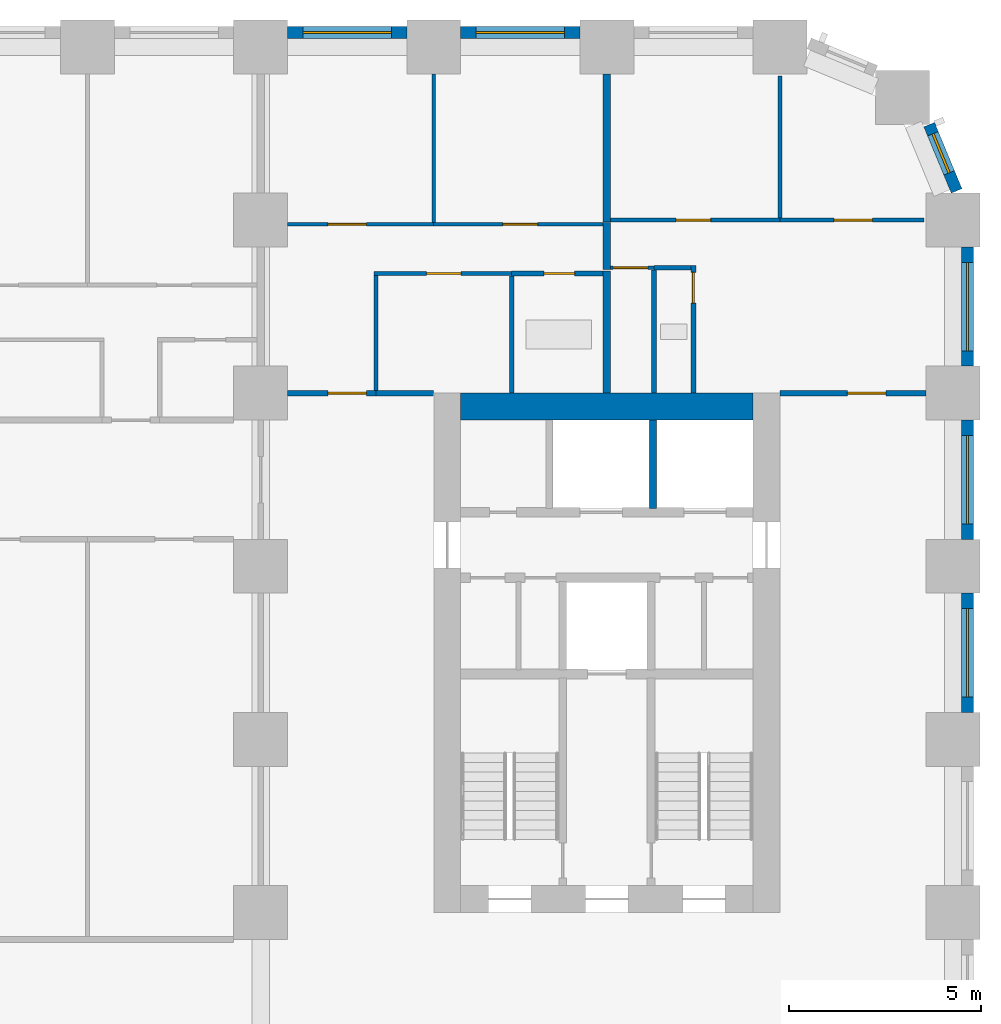
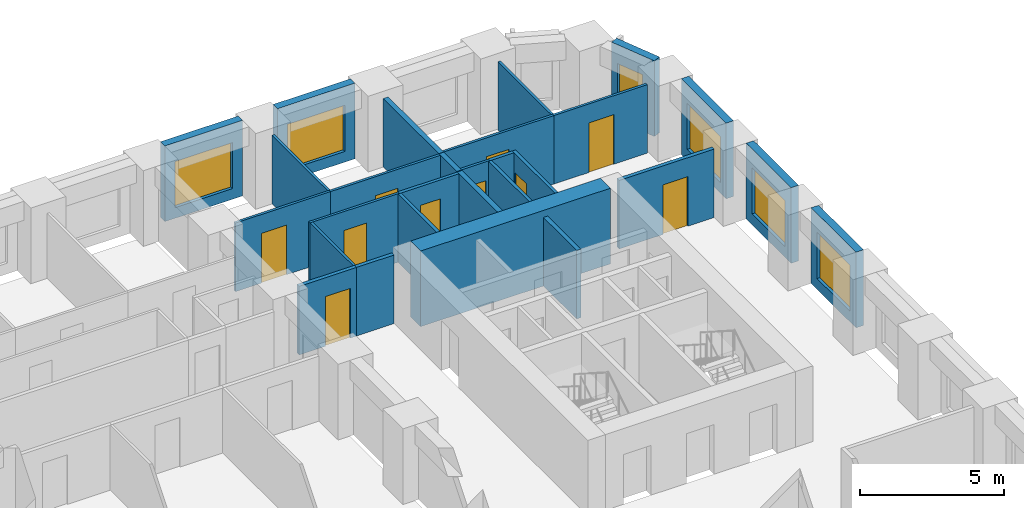
# One storey, part 9 of 13: 28 walls, 10 doors, 6 windows, 16 openings.
"""IFC4 building model written with IfcOpenShell, lengths in metres."""

from ifc_helpers import new_model, si_unit, direction, frame, frame_2d, origin, place, context, subcontext, project, spatial, rectangle, extrude, material, layer, layer_set, type_object, element, fill, save


model = new_model("IFC4")

# Units and contexts
model_context = context("Model", 3, precision=1e-05, world=origin(), true_north=direction((0.0, 1.0)))
body_context = subcontext(model_context, "Body", "Model", "MODEL_VIEW")
ifc_project = project(units=[si_unit("LENGTHUNIT", "METRE"), si_unit("AREAUNIT", "SQUARE_METRE"), si_unit("VOLUMEUNIT", "CUBIC_METRE"), si_unit("PLANEANGLEUNIT", "RADIAN"), si_unit("MASSUNIT", "GRAM", prefix="KILO")], contexts=[model_context])

# Site, building, storey
site_placement = place(None, origin())
site = spatial("IfcSite", under=ifc_project, at=site_placement, CompositionType="ELEMENT")
building_placement = place(site_placement, origin())
building = spatial("IfcBuilding", under=site, at=building_placement, Name="Girih Gate Residences", CompositionType="ELEMENT")
storey_placement = place(building_placement, frame((0.0, 0.0, 40.0)))
storey = spatial("IfcBuildingStorey", under=building, at=storey_placement, Name="L09", CompositionType="ELEMENT", Elevation=40.0)

# Wall, opening, door
ifc_material_1 = material(Name="Gypsum board on steel studs", Category="steel")
ifc_layer_1 = layer(ifc_material_1, 0.14990234375)
ifc_layer_set_1 = layer_set([ifc_layer_1], Name="Compartment wall 150 mm")
wall_type_1 = type_object("IfcWallType", Name="Compartment wall 150 mm", PredefinedType="PARTITIONING", material=ifc_layer_set_1)
wall_1_placement = place(storey_placement, frame((45.0, 40.5, 0.0), z_axis=(0.0, 0.0, 1.0), x_axis=(1.0, 0.0, 0.0)))
wall_1 = element("IfcWall", 1, at=wall_1_placement, inside=storey, type_object=wall_type_1, Name="L09 partition", PredefinedType="PARTITIONING", context=body_context, shape_type="SweptSolid", body=[
    extrude(rectangle(XDim=3.800048828125, YDim=0.14990234375, at=frame_2d((1.89990234375, 0.0))), origin(), (0.0, 0.0, 1.0), 2.89990234375),
])
opening_1_placement = place(wall_1_placement, frame((1.75, 0.0, 0.0)))
opening_1 = element("IfcOpeningElement", 2, at=opening_1_placement, cuts=wall_1, Name="Opening A09-032", PredefinedType="OPENING", context=body_context, shape_type="SweptSolid", body=[
    extrude(rectangle(XDim=1.0, YDim=2.10009765625, at=frame_2d((0.5, 1.050048828125))), frame((0.0, 0.0849609375, 0.0), z_axis=(0.0, -1.0, 0.0), x_axis=(1.0, 0.0, 0.0)), (0.0, 0.0, 1.0), 0.169921875),
])
ifc_material_2 = material(Name="Timber, fire-rated core", Category="wood")
door_type_1 = type_object("IfcDoorType", Name="Flat entrance door 1000x2100 FD30S", OperationType="NOTDEFINED", PredefinedType="DOOR", material=ifc_material_2)
door_1_placement = place(opening_1_placement, origin())
door_1 = element("IfcDoor", 3, at=door_1_placement, inside=storey, type_object=door_type_1, Name="Door A09-032", OperationType="SINGLE_SWING_RIGHT", OverallHeight=2.10009765625, OverallWidth=1.0, PredefinedType="DOOR", context=body_context, shape_type="SweptSolid", body=[
    extrude(rectangle(XDim=1.0, YDim=2.10009765625, at=frame_2d((0.5, 1.050048828125))), frame((0.0, 0.02490234375, 0.0), z_axis=(0.0, -1.0, 0.0), x_axis=(1.0, 0.0, 0.0)), (0.0, 0.0, 1.0), 0.050048828125),
])
fill(opening_1, door_1)

wall_2_placement = place(storey_placement, frame((32.199951171875, 40.5, 0.0), z_axis=(0.0, 0.0, 1.0), x_axis=(1.0, 0.0, 0.0)))
wall_2 = element("IfcWall", 4, at=wall_2_placement, inside=storey, type_object=wall_type_1, Name="L09 partition", PredefinedType="PARTITIONING", context=body_context, shape_type="SweptSolid", body=[
    extrude(rectangle(XDim=2.300048828125, YDim=0.14990234375, at=frame_2d((1.14990234375, 0.0))), origin(), (0.0, 0.0, 1.0), 2.89990234375),
])
opening_2_placement = place(wall_2_placement, frame((1.050048828125, 0.0, 0.0)))
opening_2 = element("IfcOpeningElement", 5, at=opening_2_placement, cuts=wall_2, Name="Opening A09-037", PredefinedType="OPENING", context=body_context, shape_type="SweptSolid", body=[
    extrude(rectangle(XDim=1.0, YDim=2.10009765625, at=frame_2d((0.5, 1.050048828125))), frame((0.0, 0.0849609375, 0.0), z_axis=(0.0, -1.0, 0.0), x_axis=(1.0, 0.0, 0.0)), (0.0, 0.0, 1.0), 0.169921875),
])
door_2_placement = place(opening_2_placement, origin())
door_2 = element("IfcDoor", 6, at=door_2_placement, inside=storey, type_object=door_type_1, Name="Door A09-037", OperationType="SINGLE_SWING_RIGHT", OverallHeight=2.10009765625, OverallWidth=1.0, PredefinedType="DOOR", context=body_context, shape_type="SweptSolid", body=[
    extrude(rectangle(XDim=1.0, YDim=2.10009765625, at=frame_2d((0.5, 1.050048828125))), frame((0.0, 0.02490234375, 0.0), z_axis=(0.0, -1.0, 0.0), x_axis=(1.0, 0.0, 0.0)), (0.0, 0.0, 1.0), 0.050048828125),
])
fill(opening_2, door_2)

# Walls
wall_3_placement = place(storey_placement, frame((34.5, 40.5, 0.0), z_axis=(0.0, 0.0, 1.0), x_axis=(1.0, 0.0, 0.0)))
element("IfcWall", 7, at=wall_3_placement, inside=storey, type_object=wall_type_1, Name="L09 partition", PredefinedType="PARTITIONING", context=body_context, shape_type="SweptSolid", body=[
    extrude(rectangle(XDim=1.5, YDim=0.14990234375, at=frame_2d((0.75, 0.0))), origin(), (0.0, 0.0, 1.0), 2.89990234375),
])
ifc_material_3 = material(Name="Concrete C60/75", Category="concrete")
ifc_layer_2 = layer(ifc_material_3, 0.699951171875)
ifc_layer_set_2 = layer_set([ifc_layer_2], Name="Core wall RC 700 Concrete C60/75")
wall_type_2 = type_object("IfcWallType", Name="Core wall RC 700 Concrete C60/75", PredefinedType="SOLIDWALL", material=ifc_layer_set_2)
wall_4_placement = place(storey_placement, frame((36.699951171875, 40.14990234375, 0.0), z_axis=(0.0, 0.0, 1.0), x_axis=(1.0, 0.0, 0.0)))
element("IfcWall", 8, at=wall_4_placement, inside=storey, type_object=wall_type_2, Name="Core wall E-N L09", PredefinedType="SOLIDWALL", context=body_context, shape_type="SweptSolid", body=[
    extrude(rectangle(XDim=7.60009765625, YDim=0.699951171875, at=frame_2d((3.800048828125, 0.0))), origin(), (0.0, 0.0, 1.0), 3.199951171875),
])

# Wall, opening, door
ifc_layer_3 = layer(ifc_material_1, 0.10009765625)
ifc_layer_set_3 = layer_set([ifc_layer_3], Name="Partition 100 mm")
wall_type_3 = type_object("IfcWallType", Name="Partition 100 mm", PredefinedType="PARTITIONING", material=ifc_layer_set_3)
wall_5_placement = place(storey_placement, frame((40.60009765625, 45.0, 0.0), z_axis=(0.0, 0.0, 1.0), x_axis=(1.0, 0.0, 0.0)))
wall_5 = element("IfcWall", 9, at=wall_5_placement, inside=storey, type_object=wall_type_3, Name="L09 partition", PredefinedType="PARTITIONING", context=body_context, shape_type="SweptSolid", body=[
    extrude(rectangle(XDim=4.39990234375, YDim=0.10009765625, at=frame_2d((2.199951171875, 0.0))), origin(), (0.0, 0.0, 1.0), 2.89990234375),
])
opening_3_placement = place(wall_5_placement, frame((1.699951171875, 0.0, 0.0)))
opening_3 = element("IfcOpeningElement", 10, at=opening_3_placement, cuts=wall_5, Name="Opening A09-029", PredefinedType="OPENING", context=body_context, shape_type="SweptSolid", body=[
    extrude(rectangle(XDim=0.89990234375, YDim=2.10009765625, at=frame_2d((0.449951171875, 1.050048828125))), frame((0.0, 0.06005859375, 0.0), z_axis=(0.0, -1.0, 0.0), x_axis=(1.0, 0.0, 0.0)), (0.0, 0.0, 1.0), 0.1201171875),
])
ifc_material_4 = material(Name="Timber", Category="wood")
door_type_2 = type_object("IfcDoorType", Name="Bedroom door 900x2100", OperationType="NOTDEFINED", PredefinedType="DOOR", material=ifc_material_4)
door_3_placement = place(opening_3_placement, origin())
door_3 = element("IfcDoor", 11, at=door_3_placement, inside=storey, type_object=door_type_2, Name="Door A09-029", OperationType="SINGLE_SWING_LEFT", OverallHeight=2.10009765625, OverallWidth=0.89990234375, PredefinedType="DOOR", context=body_context, shape_type="SweptSolid", body=[
    extrude(rectangle(XDim=0.89990234375, YDim=2.10009765625, at=frame_2d((0.449951171875, 1.050048828125))), frame((0.0, 0.02490234375, 0.0), z_axis=(0.0, -1.0, 0.0), x_axis=(1.0, 0.0, 0.0)), (0.0, 0.0, 1.0), 0.050048828125),
])
fill(opening_3, door_3)

# Wall
wall_6_placement = place(storey_placement, frame((45.0, 45.050048828125, 0.0), z_axis=(0.0, 0.0, 1.0), x_axis=(0.0, 1.0, 0.0)))
element("IfcWall", 12, at=wall_6_placement, inside=storey, type_object=wall_type_3, Name="L09 partition", PredefinedType="PARTITIONING", context=body_context, shape_type="SweptSolid", body=[
    extrude(rectangle(XDim=3.6923828125, YDim=0.10009765625, at=frame_2d((1.84619140625, 0.0))), origin(), (0.0, 0.0, 1.0), 2.89990234375),
])

# Wall, opening, door
wall_7_placement = place(storey_placement, frame((41.727294921875, 43.760009765625, 0.0), z_axis=(0.0, 0.0, 1.0), x_axis=(-1.0, 0.0, 0.0)))
wall_7 = element("IfcWall", 13, at=wall_7_placement, inside=storey, type_object=wall_type_3, Name="L09 partition", PredefinedType="PARTITIONING", context=body_context, shape_type="SweptSolid", body=[
    extrude(rectangle(XDim=1.127197265625, YDim=0.10009765625, at=frame_2d((0.5634765625, 0.0))), origin(), (0.0, 0.0, 1.0), 2.89990234375),
])
opening_4_placement = place(wall_7_placement, frame((0.16357421875, 0.0, 0.0)))
opening_4 = element("IfcOpeningElement", 14, at=opening_4_placement, cuts=wall_7, Name="Opening A09-030", PredefinedType="OPENING", context=body_context, shape_type="SweptSolid", body=[
    extrude(rectangle(XDim=0.89990234375, YDim=2.10009765625, at=frame_2d((0.449951171875, 1.050048828125))), frame((0.0, 0.06005859375, 0.0), z_axis=(0.0, -1.0, 0.0), x_axis=(1.0, 0.0, 0.0)), (0.0, 0.0, 1.0), 0.1201171875),
])
door_type_3 = type_object("IfcDoorType", Name="Kitchen door 900x2100", OperationType="NOTDEFINED", PredefinedType="DOOR", material=ifc_material_4)
door_4_placement = place(opening_4_placement, origin())
door_4 = element("IfcDoor", 15, at=door_4_placement, inside=storey, type_object=door_type_3, Name="Door A09-030", OperationType="SINGLE_SWING_RIGHT", OverallHeight=2.10009765625, OverallWidth=0.89990234375, PredefinedType="DOOR", context=body_context, shape_type="SweptSolid", body=[
    extrude(rectangle(XDim=0.89990234375, YDim=2.10009765625, at=frame_2d((0.449951171875, 1.050048828125))), frame((0.0, 0.02490234375, 0.0), z_axis=(0.0, -1.0, 0.0), x_axis=(1.0, 0.0, 0.0)), (0.0, 0.0, 1.0), 0.050048828125),
])
fill(opening_4, door_4)

wall_8_placement = place(storey_placement, frame((45.0, 45.0, 0.0), z_axis=(0.0, 0.0, 1.0), x_axis=(1.0, 0.0, 0.0)))
wall_8 = element("IfcWall", 16, at=wall_8_placement, inside=storey, type_object=wall_type_3, Name="L09 partition", PredefinedType="PARTITIONING", context=body_context, shape_type="SweptSolid", body=[
    extrude(rectangle(XDim=3.742431640625, YDim=0.10009765625, at=frame_2d((1.87109375, 0.0))), origin(), (0.0, 0.0, 1.0), 2.89990234375),
])
opening_5_placement = place(wall_8_placement, frame((1.39990234375, 0.0, 0.0)))
opening_5 = element("IfcOpeningElement", 17, at=opening_5_placement, cuts=wall_8, Name="Opening A09-031", PredefinedType="OPENING", context=body_context, shape_type="SweptSolid", body=[
    extrude(rectangle(XDim=1.0, YDim=2.10009765625, at=frame_2d((0.5, 1.050048828125))), frame((0.0, 0.06005859375, 0.0), z_axis=(0.0, -1.0, 0.0), x_axis=(1.0, 0.0, 0.0)), (0.0, 0.0, 1.0), 0.1201171875),
])
door_type_4 = type_object("IfcDoorType", Name="Living room door 1000x2100", OperationType="NOTDEFINED", PredefinedType="DOOR", material=ifc_material_4)
door_5_placement = place(opening_5_placement, origin())
door_5 = element("IfcDoor", 18, at=door_5_placement, inside=storey, type_object=door_type_4, Name="Door A09-031", OperationType="SINGLE_SWING_RIGHT", OverallHeight=2.10009765625, OverallWidth=1.0, PredefinedType="DOOR", context=body_context, shape_type="SweptSolid", body=[
    extrude(rectangle(XDim=1.0, YDim=2.10009765625, at=frame_2d((0.5, 1.050048828125))), frame((0.0, 0.02490234375, 0.0), z_axis=(0.0, -1.0, 0.0), x_axis=(1.0, 0.0, 0.0)), (0.0, 0.0, 1.0), 0.050048828125),
])
fill(opening_5, door_5)

wall_9_placement = place(storey_placement, frame((36.0, 44.889892578125, 0.0), z_axis=(0.0, 0.0, 1.0), x_axis=(1.0, 0.0, 0.0)))
wall_9 = element("IfcWall", 19, at=wall_9_placement, inside=storey, type_object=wall_type_3, Name="L09 partition", PredefinedType="PARTITIONING", context=body_context, shape_type="SweptSolid", body=[
    extrude(rectangle(XDim=4.39990234375, YDim=0.10009765625, at=frame_2d((2.199951171875, 0.0))), origin(), (0.0, 0.0, 1.0), 2.89990234375),
])
opening_6_placement = place(wall_9_placement, frame((1.800048828125, 0.0, 0.0)))
opening_6 = element("IfcOpeningElement", 20, at=opening_6_placement, cuts=wall_9, Name="Opening A09-034", PredefinedType="OPENING", context=body_context, shape_type="SweptSolid", body=[
    extrude(rectangle(XDim=0.89990234375, YDim=2.10009765625, at=frame_2d((0.449951171875, 1.050048828125))), frame((0.0, 0.06005859375, 0.0), z_axis=(0.0, -1.0, 0.0), x_axis=(1.0, 0.0, 0.0)), (0.0, 0.0, 1.0), 0.1201171875),
])
door_6_placement = place(opening_6_placement, origin())
door_6 = element("IfcDoor", 21, at=door_6_placement, inside=storey, type_object=door_type_2, Name="Door A09-034", OperationType="SINGLE_SWING_RIGHT", OverallHeight=2.10009765625, OverallWidth=0.89990234375, PredefinedType="DOOR", context=body_context, shape_type="SweptSolid", body=[
    extrude(rectangle(XDim=0.89990234375, YDim=2.10009765625, at=frame_2d((0.449951171875, 1.050048828125))), frame((0.0, 0.02490234375, 0.0), z_axis=(0.0, -1.0, 0.0), x_axis=(1.0, 0.0, 0.0)), (0.0, 0.0, 1.0), 0.050048828125),
])
fill(opening_6, door_6)

# Wall
wall_10_placement = place(storey_placement, frame((36.0, 44.93994140625, 0.0), z_axis=(0.0, 0.0, 1.0), x_axis=(0.0, 1.0, 0.0)))
element("IfcWall", 22, at=wall_10_placement, inside=storey, type_object=wall_type_3, Name="L09 partition", PredefinedType="PARTITIONING", context=body_context, shape_type="SweptSolid", body=[
    extrude(rectangle(XDim=3.860107421875, YDim=0.10009765625, at=frame_2d((1.93017578125, 0.0))), origin(), (0.0, 0.0, 1.0), 2.89990234375),
])

# Wall, opening, door
wall_11_placement = place(storey_placement, frame((38.026611328125, 43.610107421875, 0.0), z_axis=(0.0, 0.0, 1.0), x_axis=(-1.0, 0.0, 0.0)))
wall_11 = element("IfcWall", 23, at=wall_11_placement, inside=storey, type_object=wall_type_3, Name="L09 partition", PredefinedType="PARTITIONING", context=body_context, shape_type="SweptSolid", body=[
    extrude(rectangle(XDim=3.57666015625, YDim=0.10009765625, at=frame_2d((1.788330078125, 0.0))), origin(), (0.0, 0.0, 1.0), 2.89990234375),
])
opening_7_placement = place(wall_11_placement, frame((1.313232421875, 0.0, 0.0)))
opening_7 = element("IfcOpeningElement", 24, at=opening_7_placement, cuts=wall_11, Name="Opening A09-035", PredefinedType="OPENING", context=body_context, shape_type="SweptSolid", body=[
    extrude(rectangle(XDim=0.89990234375, YDim=2.10009765625, at=frame_2d((0.449951171875, 1.050048828125))), frame((0.0, 0.06005859375, 0.0), z_axis=(0.0, -1.0, 0.0), x_axis=(1.0, 0.0, 0.0)), (0.0, 0.0, 1.0), 0.1201171875),
])
door_7_placement = place(opening_7_placement, origin())
door_7 = element("IfcDoor", 25, at=door_7_placement, inside=storey, type_object=door_type_3, Name="Door A09-035", OperationType="SINGLE_SWING_LEFT", OverallHeight=2.10009765625, OverallWidth=0.89990234375, PredefinedType="DOOR", context=body_context, shape_type="SweptSolid", body=[
    extrude(rectangle(XDim=0.89990234375, YDim=2.10009765625, at=frame_2d((0.449951171875, 1.050048828125))), frame((0.0, 0.02490234375, 0.0), z_axis=(0.0, -1.0, 0.0), x_axis=(1.0, 0.0, 0.0)), (0.0, 0.0, 1.0), 0.050048828125),
])
fill(opening_7, door_7)

# Wall
wall_12_placement = place(storey_placement, frame((34.5, 40.574951171875, 0.0), z_axis=(0.0, 0.0, 1.0), x_axis=(0.0, 1.0, 0.0)))
element("IfcWall", 26, at=wall_12_placement, inside=storey, type_object=wall_type_3, Name="L09 partition", PredefinedType="PARTITIONING", context=body_context, shape_type="SweptSolid", body=[
    extrude(rectangle(XDim=2.985107421875, YDim=0.10009765625, at=frame_2d((1.49267578125, 0.0))), origin(), (0.0, 0.0, 1.0), 2.89990234375),
])

# Wall, opening, door
wall_13_placement = place(storey_placement, frame((32.199951171875, 44.889892578125, 0.0), z_axis=(0.0, 0.0, 1.0), x_axis=(1.0, 0.0, 0.0)))
wall_13 = element("IfcWall", 27, at=wall_13_placement, inside=storey, type_object=wall_type_3, Name="L09 partition", PredefinedType="PARTITIONING", context=body_context, shape_type="SweptSolid", body=[
    extrude(rectangle(XDim=3.800048828125, YDim=0.10009765625, at=frame_2d((1.89990234375, 0.0))), origin(), (0.0, 0.0, 1.0), 2.89990234375),
])
opening_8_placement = place(wall_13_placement, frame((1.050048828125, 0.0, 0.0)))
opening_8 = element("IfcOpeningElement", 28, at=opening_8_placement, cuts=wall_13, Name="Opening A09-036", PredefinedType="OPENING", context=body_context, shape_type="SweptSolid", body=[
    extrude(rectangle(XDim=1.0, YDim=2.10009765625, at=frame_2d((0.5, 1.050048828125))), frame((0.0, 0.06005859375, 0.0), z_axis=(0.0, -1.0, 0.0), x_axis=(1.0, 0.0, 0.0)), (0.0, 0.0, 1.0), 0.1201171875),
])
door_8_placement = place(opening_8_placement, origin())
door_8 = element("IfcDoor", 29, at=door_8_placement, inside=storey, type_object=door_type_4, Name="Door A09-036", OperationType="SINGLE_SWING_LEFT", OverallHeight=2.10009765625, OverallWidth=1.0, PredefinedType="DOOR", context=body_context, shape_type="SweptSolid", body=[
    extrude(rectangle(XDim=1.0, YDim=2.10009765625, at=frame_2d((0.5, 1.050048828125))), frame((0.0, 0.02490234375, 0.0), z_axis=(0.0, -1.0, 0.0), x_axis=(1.0, 0.0, 0.0)), (0.0, 0.0, 1.0), 0.050048828125),
])
fill(opening_8, door_8)

# Walls
ifc_layer_4 = layer(ifc_material_1, 0.199951171875)
ifc_layer_set_4 = layer_set([ifc_layer_4], Name="Party wall 200 mm")
wall_type_4 = type_object("IfcWallType", Name="Party wall 200 mm", PredefinedType="PARTITIONING", material=ifc_layer_set_4)
wall_14_placement = place(storey_placement, frame((40.5, 44.949951171875, 0.0), z_axis=(0.0, 0.0, 1.0), x_axis=(0.0, 1.0, 0.0)))
element("IfcWall", 30, at=wall_14_placement, inside=storey, type_object=wall_type_4, Name="L09 partition", PredefinedType="PARTITIONING", context=body_context, shape_type="SweptSolid", body=[
    extrude(rectangle(XDim=3.85009765625, YDim=0.199951171875, at=frame_2d((1.925048828125, 0.0))), origin(), (0.0, 0.0, 1.0), 2.89990234375),
])
wall_15_placement = place(storey_placement, frame((40.5, 43.7099609375, 0.0), z_axis=(0.0, 0.0, 1.0), x_axis=(0.0, 1.0, 0.0)))
element("IfcWall", 31, at=wall_15_placement, inside=storey, type_object=wall_type_4, Name="L09 partition", PredefinedType="PARTITIONING", context=body_context, shape_type="SweptSolid", body=[
    extrude(rectangle(XDim=1.22998046875, YDim=0.199951171875, at=frame_2d((0.614990234375, 0.0))), origin(), (0.0, 0.0, 1.0), 2.89990234375),
])
wall_16_placement = place(storey_placement, frame((40.5, 40.5, 0.0), z_axis=(0.0, 0.0, 1.0), x_axis=(0.0, 1.0, 0.0)))
element("IfcWall", 32, at=wall_16_placement, inside=storey, type_object=wall_type_4, Name="L09 partition", PredefinedType="PARTITIONING", context=body_context, shape_type="SweptSolid", body=[
    extrude(rectangle(XDim=3.172607421875, YDim=0.199951171875, at=frame_2d((1.58642578125, 0.0))), origin(), (0.0, 0.0, 1.0), 2.89990234375),
])

# Wall, opening, window
ifc_material_5 = material(Name="Precast concrete C50/60", Category="concrete")
ifc_layer_5 = layer(ifc_material_5, 0.080078125, Name="Outer leaf")
ifc_material_6 = material(Name="Rigid PIR insulation")
ifc_layer_6 = layer(ifc_material_6, 0.14990234375, Name="Insulation")
ifc_material_7 = material(Name="Precast concrete C40/50", Category="concrete")
ifc_layer_7 = layer(ifc_material_7, 0.070068359375, Name="Inner leaf")
ifc_layer_set_5 = layer_set([ifc_layer_5, ifc_layer_6, ifc_layer_7], Name="Precast concrete C50/60 external wall 300")
wall_type_5 = type_object("IfcWallType", Name="Precast concrete C50/60 external wall 300", PredefinedType="SOLIDWALL", material=ifc_layer_set_5)
wall_17_placement = place(storey_placement, frame((49.875, 35.300048828125, 0.0), z_axis=(0.0, 0.0, 1.0), x_axis=(0.0, -1.0, 0.0)))
wall_17 = element("IfcWall", 33, at=wall_17_placement, inside=storey, type_object=wall_type_5, Name="External wall E0495_0045.6", PredefinedType="SOLIDWALL", context=body_context, shape_type="SweptSolid", body=[
    extrude(rectangle(XDim=3.10009765625, YDim=0.300048828125, at=frame_2d((1.550048828125, 0.0))), origin(), (0.0, 0.0, 1.0), 3.199951171875),
])
opening_9_placement = place(wall_17_placement, frame((0.39990234375, 0.0, 0.449951171875)))
opening_9 = element("IfcOpeningElement", 34, at=opening_9_placement, cuts=wall_17, Name="Opening W-1", PredefinedType="OPENING", context=body_context, shape_type="SweptSolid", body=[
    extrude(rectangle(XDim=2.300048828125, YDim=1.949951171875, at=frame_2d((1.14990234375, 0.97509765625))), frame((0.0, 0.159912109375, 0.0), z_axis=(0.0, -1.0, 0.0), x_axis=(1.0, 0.0, 0.0)), (0.0, 0.0, 1.0), 0.320068359375),
])
ifc_material_8 = material(Name="Double glazing in aluminium frame", Category="aluminium")
window_type_1 = type_object("IfcWindowType", Name="Window W-1 2300x1950", PartitioningType="SINGLE_PANEL", PredefinedType="WINDOW", material=ifc_material_8)
window_1_placement = place(opening_9_placement, origin())
window_1 = element("IfcWindow", 35, at=window_1_placement, inside=storey, type_object=window_type_1, Name="Window W-1 E0495_0045.6", OverallHeight=1.949951171875, OverallWidth=2.300048828125, PartitioningType="SINGLE_PANEL", PredefinedType="WINDOW", context=body_context, shape_type="SweptSolid", body=[
    extrude(rectangle(XDim=2.300048828125, YDim=1.949951171875, at=frame_2d((1.14990234375, 0.97509765625))), frame((0.0, 0.030029296875, 0.0), z_axis=(0.0, -1.0, 0.0), x_axis=(1.0, 0.0, 0.0)), (0.0, 0.0, 1.0), 0.06005859375),
])
fill(opening_9, window_1)

wall_18_placement = place(storey_placement, frame((49.875, 39.800048828125, 0.0), z_axis=(0.0, 0.0, 1.0), x_axis=(0.0, -1.0, 0.0)))
wall_18 = element("IfcWall", 36, at=wall_18_placement, inside=storey, type_object=wall_type_5, Name="External wall E0495_0045.7", PredefinedType="SOLIDWALL", context=body_context, shape_type="SweptSolid", body=[
    extrude(rectangle(XDim=3.10009765625, YDim=0.300048828125, at=frame_2d((1.550048828125, 0.0))), origin(), (0.0, 0.0, 1.0), 3.199951171875),
])
opening_10_placement = place(wall_18_placement, frame((0.39990234375, 0.0, 0.449951171875)))
opening_10 = element("IfcOpeningElement", 37, at=opening_10_placement, cuts=wall_18, Name="Opening W-1", PredefinedType="OPENING", context=body_context, shape_type="SweptSolid", body=[
    extrude(rectangle(XDim=2.300048828125, YDim=1.949951171875, at=frame_2d((1.14990234375, 0.97509765625))), frame((0.0, 0.159912109375, 0.0), z_axis=(0.0, -1.0, 0.0), x_axis=(1.0, 0.0, 0.0)), (0.0, 0.0, 1.0), 0.320068359375),
])
window_2_placement = place(opening_10_placement, origin())
window_2 = element("IfcWindow", 38, at=window_2_placement, inside=storey, type_object=window_type_1, Name="Window W-1 E0495_0045.7", OverallHeight=1.949951171875, OverallWidth=2.300048828125, PartitioningType="SINGLE_PANEL", PredefinedType="WINDOW", context=body_context, shape_type="SweptSolid", body=[
    extrude(rectangle(XDim=2.300048828125, YDim=1.949951171875, at=frame_2d((1.14990234375, 0.97509765625))), frame((0.0, 0.030029296875, 0.0), z_axis=(0.0, -1.0, 0.0), x_axis=(1.0, 0.0, 0.0)), (0.0, 0.0, 1.0), 0.06005859375),
])
fill(opening_10, window_2)

wall_19_placement = place(storey_placement, frame((49.875, 44.300048828125, 0.0), z_axis=(0.0, 0.0, 1.0), x_axis=(0.0, -1.0, 0.0)))
wall_19 = element("IfcWall", 39, at=wall_19_placement, inside=storey, type_object=wall_type_5, Name="External wall E0495_0045.8", PredefinedType="SOLIDWALL", context=body_context, shape_type="SweptSolid", body=[
    extrude(rectangle(XDim=3.10009765625, YDim=0.300048828125, at=frame_2d((1.550048828125, 0.0))), origin(), (0.0, 0.0, 1.0), 3.199951171875),
])
opening_11_placement = place(wall_19_placement, frame((0.39990234375, 0.0, 0.449951171875)))
opening_11 = element("IfcOpeningElement", 40, at=opening_11_placement, cuts=wall_19, Name="Opening W-1", PredefinedType="OPENING", context=body_context, shape_type="SweptSolid", body=[
    extrude(rectangle(XDim=2.300048828125, YDim=1.949951171875, at=frame_2d((1.14990234375, 0.97509765625))), frame((0.0, 0.159912109375, 0.0), z_axis=(0.0, -1.0, 0.0), x_axis=(1.0, 0.0, 0.0)), (0.0, 0.0, 1.0), 0.320068359375),
])
window_3_placement = place(opening_11_placement, origin())
window_3 = element("IfcWindow", 41, at=window_3_placement, inside=storey, type_object=window_type_1, Name="Window W-1 E0495_0045.8", OverallHeight=1.949951171875, OverallWidth=2.300048828125, PartitioningType="SINGLE_PANEL", PredefinedType="WINDOW", context=body_context, shape_type="SweptSolid", body=[
    extrude(rectangle(XDim=2.300048828125, YDim=1.949951171875, at=frame_2d((1.14990234375, 0.97509765625))), frame((0.0, 0.030029296875, 0.0), z_axis=(0.0, -1.0, 0.0), x_axis=(1.0, 0.0, 0.0)), (0.0, 0.0, 1.0), 0.06005859375),
])
fill(opening_11, window_3)

wall_20_placement = place(storey_placement, frame((48.87841796875, 47.48046875, 0.0), z_axis=(0.0, 0.0, 1.0), x_axis=(0.38262540684, -0.923903565336, 0.0)))
wall_20 = element("IfcWall", 42, at=wall_20_placement, inside=storey, type_object=wall_type_5, Name="External wall NE0495_0450.0", PredefinedType="SOLIDWALL", context=body_context, shape_type="SweptSolid", body=[
    extrude(rectangle(XDim=1.864990234375, YDim=0.300048828125, at=frame_2d((0.9326171875, 0.0))), origin(), (0.0, 0.0, 1.0), 3.199951171875),
])
opening_12_placement = place(wall_20_placement, frame((0.257568359375, 0.0, 0.449951171875)))
opening_12 = element("IfcOpeningElement", 43, at=opening_12_placement, cuts=wall_20, Name="Opening W-2C", PredefinedType="OPENING", context=body_context, shape_type="SweptSolid", body=[
    extrude(rectangle(XDim=1.10009765625, YDim=1.949951171875, at=frame_2d((0.550048828125, 0.97509765625))), frame((0.0, 0.159912109375, 0.0), z_axis=(0.0, -1.0, 0.0), x_axis=(1.0, 0.0, 0.0)), (0.0, 0.0, 1.0), 0.320068359375),
])
window_type_2 = type_object("IfcWindowType", Name="Window W-2C 1100x1950", PartitioningType="SINGLE_PANEL", PredefinedType="WINDOW", material=ifc_material_8)
window_4_placement = place(opening_12_placement, origin())
window_4 = element("IfcWindow", 44, at=window_4_placement, inside=storey, type_object=window_type_2, Name="Window W-2C NE0495_0450.0", OverallHeight=1.949951171875, OverallWidth=1.10009765625, PartitioningType="SINGLE_PANEL", PredefinedType="WINDOW", context=body_context, shape_type="SweptSolid", body=[
    extrude(rectangle(XDim=1.10009765625, YDim=1.949951171875, at=frame_2d((0.550048828125, 0.97509765625))), frame((0.0, 0.030029296875, 0.0), z_axis=(0.0, -1.0, 0.0), x_axis=(1.0, 0.0, 0.0)), (0.0, 0.0, 1.0), 0.06005859375),
])
fill(opening_12, window_4)

wall_21_placement = place(storey_placement, frame((36.699951171875, 49.875, 0.0), z_axis=(0.0, 0.0, 1.0), x_axis=(1.0, 0.0, 0.0)))
wall_21 = element("IfcWall", 45, at=wall_21_placement, inside=storey, type_object=wall_type_5, Name="External wall N0450_0495.1", PredefinedType="SOLIDWALL", context=body_context, shape_type="SweptSolid", body=[
    extrude(rectangle(XDim=3.10009765625, YDim=0.300048828125, at=frame_2d((1.550048828125, 0.0))), origin(), (0.0, 0.0, 1.0), 3.199951171875),
])
opening_13_placement = place(wall_21_placement, frame((0.39990234375, 0.0, 0.449951171875)))
opening_13 = element("IfcOpeningElement", 46, at=opening_13_placement, cuts=wall_21, Name="Opening W-1", PredefinedType="OPENING", context=body_context, shape_type="SweptSolid", body=[
    extrude(rectangle(XDim=2.300048828125, YDim=1.949951171875, at=frame_2d((1.14990234375, 0.97509765625))), frame((0.0, 0.159912109375, 0.0), z_axis=(0.0, -1.0, 0.0), x_axis=(1.0, 0.0, 0.0)), (0.0, 0.0, 1.0), 0.320068359375),
])
window_5_placement = place(opening_13_placement, origin())
window_5 = element("IfcWindow", 47, at=window_5_placement, inside=storey, type_object=window_type_1, Name="Window W-1 N0450_0495.1", OverallHeight=1.949951171875, OverallWidth=2.300048828125, PartitioningType="SINGLE_PANEL", PredefinedType="WINDOW", context=body_context, shape_type="SweptSolid", body=[
    extrude(rectangle(XDim=2.300048828125, YDim=1.949951171875, at=frame_2d((1.14990234375, 0.97509765625))), frame((0.0, 0.030029296875, 0.0), z_axis=(0.0, -1.0, 0.0), x_axis=(1.0, 0.0, 0.0)), (0.0, 0.0, 1.0), 0.06005859375),
])
fill(opening_13, window_5)

wall_22_placement = place(storey_placement, frame((32.199951171875, 49.875, 0.0), z_axis=(0.0, 0.0, 1.0), x_axis=(1.0, 0.0, 0.0)))
wall_22 = element("IfcWall", 48, at=wall_22_placement, inside=storey, type_object=wall_type_5, Name="External wall N0450_0495.2", PredefinedType="SOLIDWALL", context=body_context, shape_type="SweptSolid", body=[
    extrude(rectangle(XDim=3.10009765625, YDim=0.300048828125, at=frame_2d((1.550048828125, 0.0))), origin(), (0.0, 0.0, 1.0), 3.199951171875),
])
opening_14_placement = place(wall_22_placement, frame((0.39990234375, 0.0, 0.449951171875)))
opening_14 = element("IfcOpeningElement", 49, at=opening_14_placement, cuts=wall_22, Name="Opening W-1", PredefinedType="OPENING", context=body_context, shape_type="SweptSolid", body=[
    extrude(rectangle(XDim=2.300048828125, YDim=1.949951171875, at=frame_2d((1.14990234375, 0.97509765625))), frame((0.0, 0.159912109375, 0.0), z_axis=(0.0, -1.0, 0.0), x_axis=(1.0, 0.0, 0.0)), (0.0, 0.0, 1.0), 0.320068359375),
])
window_6_placement = place(opening_14_placement, origin())
window_6 = element("IfcWindow", 50, at=window_6_placement, inside=storey, type_object=window_type_1, Name="Window W-1 N0450_0495.2", OverallHeight=1.949951171875, OverallWidth=2.300048828125, PartitioningType="SINGLE_PANEL", PredefinedType="WINDOW", context=body_context, shape_type="SweptSolid", body=[
    extrude(rectangle(XDim=2.300048828125, YDim=1.949951171875, at=frame_2d((1.14990234375, 0.97509765625))), frame((0.0, 0.030029296875, 0.0), z_axis=(0.0, -1.0, 0.0), x_axis=(1.0, 0.0, 0.0)), (0.0, 0.0, 1.0), 0.06005859375),
])
fill(opening_14, window_6)

# Walls
ifc_material_9 = material(Name="Concrete C40/50", Category="concrete")
ifc_layer_8 = layer(ifc_material_9, 0.175048828125)
ifc_layer_set_6 = layer_set([ifc_layer_8], Name="Riser shaft wall 175")
wall_type_6 = type_object("IfcWallType", Name="Riser shaft wall 175", PredefinedType="SOLIDWALL", material=ifc_layer_set_6)
wall_23_placement = place(storey_placement, frame((41.699951171875, 37.5, 0.0), z_axis=(0.0, 0.0, 1.0), x_axis=(0.0, 1.0, 0.0)))
element("IfcWall", 51, at=wall_23_placement, inside=storey, type_object=wall_type_6, Name="L09 E core wall V1c", PredefinedType="SOLIDWALL", context=body_context, shape_type="SweptSolid", body=[
    extrude(rectangle(XDim=2.300048828125, YDim=0.175048828125, at=frame_2d((1.14990234375, 0.0))), origin(), (0.0, 0.0, 1.0), 2.89990234375),
])
ifc_layer_9 = layer(ifc_material_1, 0.125)
ifc_layer_set_7 = layer_set([ifc_layer_9], Name="Wet room wall 125 mm")
wall_type_7 = type_object("IfcWallType", Name="Wet room wall 125 mm", PredefinedType="PARTITIONING", material=ifc_layer_set_7)
wall_24_placement = place(storey_placement, frame((41.727294921875, 43.760009765625, 0.0), z_axis=(0.0, 0.0, 1.0), x_axis=(1.0, 0.0, 0.0)))
element("IfcWall", 52, at=wall_24_placement, inside=storey, type_object=wall_type_7, Name="L09 partition", PredefinedType="PARTITIONING", context=body_context, shape_type="SweptSolid", body=[
    extrude(rectangle(XDim=0.960205078125, YDim=0.125, at=frame_2d((0.47998046875, 0.0))), origin(), (0.0, 0.0, 1.0), 2.89990234375),
])

# Wall, opening, door
wall_25_placement = place(storey_placement, frame((42.75, 40.5, 0.0), z_axis=(0.0, 0.0, 1.0), x_axis=(0.0, 1.0, 0.0)))
wall_25 = element("IfcWall", 53, at=wall_25_placement, inside=storey, type_object=wall_type_7, Name="L09 partition", PredefinedType="PARTITIONING", context=body_context, shape_type="SweptSolid", body=[
    extrude(rectangle(XDim=3.322509765625, YDim=0.125, at=frame_2d((1.6611328125, 0.0))), origin(), (0.0, 0.0, 1.0), 2.89990234375),
])
opening_15_placement = place(wall_25_placement, frame((2.340087890625, 0.0, 0.0)))
opening_15 = element("IfcOpeningElement", 54, at=opening_15_placement, cuts=wall_25, Name="Opening A09-028", PredefinedType="OPENING", context=body_context, shape_type="SweptSolid", body=[
    extrude(rectangle(XDim=0.800048828125, YDim=2.10009765625, at=frame_2d((0.39990234375, 1.050048828125))), frame((0.0, 0.072509765625, 0.0), z_axis=(0.0, -1.0, 0.0), x_axis=(1.0, 0.0, 0.0)), (0.0, 0.0, 1.0), 0.14501953125),
])
door_type_5 = type_object("IfcDoorType", Name="Bathroom door 800x2100", OperationType="NOTDEFINED", PredefinedType="DOOR", material=ifc_material_4)
door_9_placement = place(opening_15_placement, origin())
door_9 = element("IfcDoor", 55, at=door_9_placement, inside=storey, type_object=door_type_5, Name="Door A09-028", OperationType="SINGLE_SWING_RIGHT", OverallHeight=2.10009765625, OverallWidth=0.800048828125, PredefinedType="DOOR", context=body_context, shape_type="SweptSolid", body=[
    extrude(rectangle(XDim=0.800048828125, YDim=2.10009765625, at=frame_2d((0.39990234375, 1.050048828125))), frame((0.0, 0.02490234375, 0.0), z_axis=(0.0, -1.0, 0.0), x_axis=(1.0, 0.0, 0.0)), (0.0, 0.0, 1.0), 0.050048828125),
])
fill(opening_15, door_9)

# Wall
wall_26_placement = place(storey_placement, frame((41.72705078125, 40.5, 0.0), z_axis=(0.0, 0.0, 1.0), x_axis=(0.0, 1.0, 0.0)))
element("IfcWall", 56, at=wall_26_placement, inside=storey, type_object=wall_type_7, Name="L09 partition", PredefinedType="PARTITIONING", context=body_context, shape_type="SweptSolid", body=[
    extrude(rectangle(XDim=3.197509765625, YDim=0.125, at=frame_2d((1.5986328125, 0.0))), origin(), (0.0, 0.0, 1.0), 2.89990234375),
])

# Wall, opening, door
wall_27_placement = place(storey_placement, frame((40.39990234375, 43.610107421875, 0.0), z_axis=(0.0, 0.0, 1.0), x_axis=(-1.0, 0.0, 0.0)))
wall_27 = element("IfcWall", 57, at=wall_27_placement, inside=storey, type_object=wall_type_7, Name="L09 partition", PredefinedType="PARTITIONING", context=body_context, shape_type="SweptSolid", body=[
    extrude(rectangle(XDim=2.373291015625, YDim=0.125, at=frame_2d((1.1865234375, 0.0))), origin(), (0.0, 0.0, 1.0), 2.89990234375),
])
opening_16_placement = place(wall_27_placement, frame((0.73681640625, 0.0, 0.0)))
opening_16 = element("IfcOpeningElement", 58, at=opening_16_placement, cuts=wall_27, Name="Opening A09-033", PredefinedType="OPENING", context=body_context, shape_type="SweptSolid", body=[
    extrude(rectangle(XDim=0.800048828125, YDim=2.10009765625, at=frame_2d((0.39990234375, 1.050048828125))), frame((0.0, 0.072509765625, 0.0), z_axis=(0.0, -1.0, 0.0), x_axis=(1.0, 0.0, 0.0)), (0.0, 0.0, 1.0), 0.14501953125),
])
door_10_placement = place(opening_16_placement, origin())
door_10 = element("IfcDoor", 59, at=door_10_placement, inside=storey, type_object=door_type_5, Name="Door A09-033", OperationType="SINGLE_SWING_LEFT", OverallHeight=2.10009765625, OverallWidth=0.800048828125, PredefinedType="DOOR", context=body_context, shape_type="SweptSolid", body=[
    extrude(rectangle(XDim=0.800048828125, YDim=2.10009765625, at=frame_2d((0.39990234375, 1.050048828125))), frame((0.0, 0.02490234375, 0.0), z_axis=(0.0, -1.0, 0.0), x_axis=(1.0, 0.0, 0.0)), (0.0, 0.0, 1.0), 0.050048828125),
])
fill(opening_16, door_10)

# Wall
wall_28_placement = place(storey_placement, frame((38.027099609375, 40.5, 0.0), z_axis=(0.0, 0.0, 1.0), x_axis=(0.0, 1.0, 0.0)))
element("IfcWall", 60, at=wall_28_placement, inside=storey, type_object=wall_type_7, Name="L09 partition", PredefinedType="PARTITIONING", context=body_context, shape_type="SweptSolid", body=[
    extrude(rectangle(XDim=3.047607421875, YDim=0.125, at=frame_2d((1.52392578125, 0.0))), origin(), (0.0, 0.0, 1.0), 2.89990234375),
])

save(model, "model.ifc")
